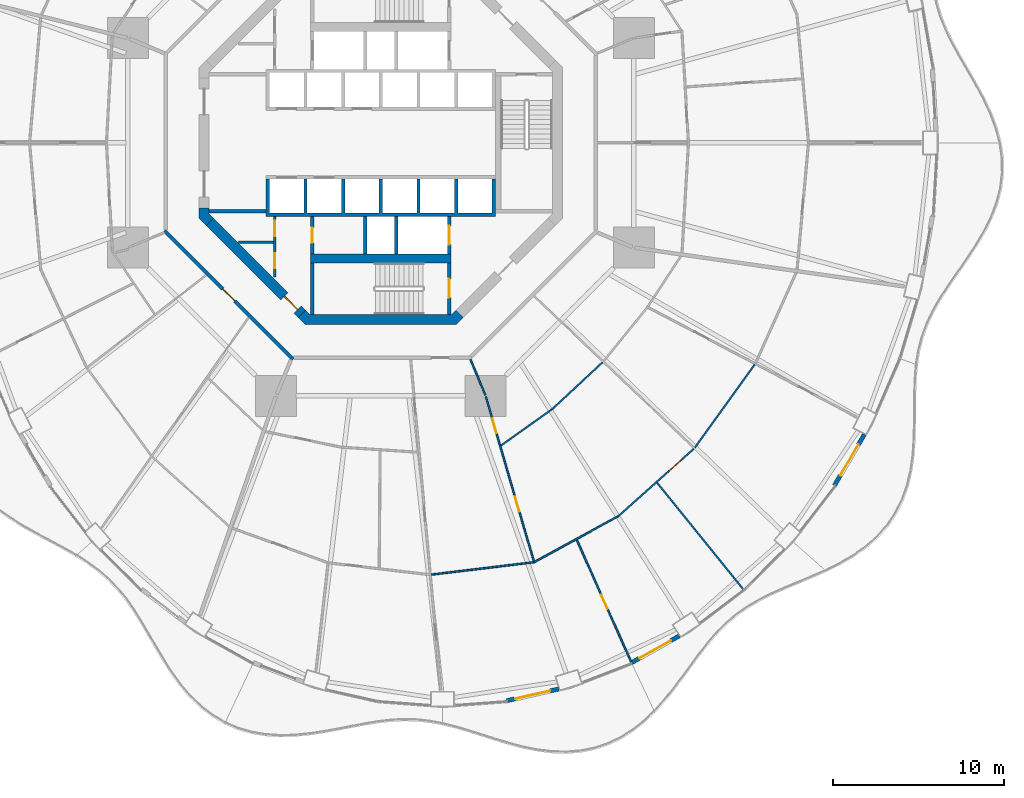
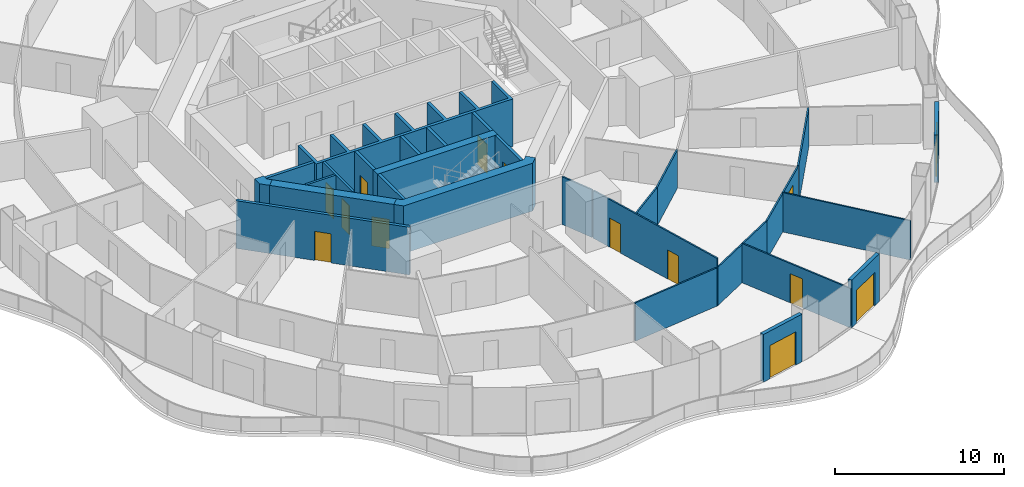
# One storey, part 15 of 22: 28 walls, 14 doors, 14 openings.
"""IFC4 building model written with IfcOpenShell, lengths in metres."""

from ifc_helpers import new_model, si_unit, direction, frame, frame_2d, origin, place, context, subcontext, project, spatial, polyline, rectangle, outline, extrude, material, layer, layer_set, type_object, element, fill, save


model = new_model("IFC4")

# Units and contexts
model_context = context("Model", 3, precision=1e-05, world=origin(), true_north=direction((0.0, 1.0)))
body_context = subcontext(model_context, "Body", "Model", "MODEL_VIEW")
ifc_project = project(units=[si_unit("LENGTHUNIT", "METRE"), si_unit("AREAUNIT", "SQUARE_METRE"), si_unit("VOLUMEUNIT", "CUBIC_METRE"), si_unit("PLANEANGLEUNIT", "RADIAN"), si_unit("MASSUNIT", "GRAM", prefix="KILO")], contexts=[model_context])

# Site, building, storey
site_placement = place(None, origin())
site = spatial("IfcSite", under=ifc_project, at=site_placement, CompositionType="ELEMENT")
building_placement = place(site_placement, origin())
building = spatial("IfcBuilding", under=site, at=building_placement, Name="Nagisa Residences", CompositionType="ELEMENT")
storey_placement = place(building_placement, frame((0.0, 0.0, 34.39990234375)))
storey = spatial("IfcBuildingStorey", under=building, at=storey_placement, Name="L07", CompositionType="ELEMENT", Elevation=34.39990234375)

# Wall, opening, door
ifc_material_1 = material(Name="Gypsum board on steel studs", Category="steel")
ifc_layer_1 = layer(ifc_material_1, 0.199951171875)
ifc_layer_set_1 = layer_set([ifc_layer_1], Name="Apartment entry wall EI60 200")
wall_type_1 = type_object("IfcWallType", Name="Apartment entry wall EI60 200", PredefinedType="PARTITIONING", material=ifc_layer_set_1)
wall_1_placement = place(storey_placement, frame((-12.635498046875, -5.1337890625, 0.0), z_axis=(0.0, 0.0, 1.0), x_axis=(0.707106781187, -0.707106781187, 0.0)))
wall_1 = element("IfcWall", 1, at=wall_1_placement, inside=storey, type_object=wall_type_1, Name="wall:L07:u13", PredefinedType="PARTITIONING", context=body_context, shape_type="SweptSolid", body=[
    extrude(rectangle(XDim=10.609130859375, YDim=0.199951171875, at=frame_2d((5.3046875, 0.0))), origin(), (0.0, 0.0, 1.0), 3.440185546875),
])
opening_1_placement = place(wall_1_placement, frame((4.804443359375, 0.0, 0.0)))
opening_1 = element("IfcOpeningElement", 2, at=opening_1_placement, cuts=wall_1, Name="Opening L07-U28", PredefinedType="OPENING", context=body_context, shape_type="SweptSolid", body=[
    extrude(rectangle(XDim=1.0, YDim=2.10009765625, at=frame_2d((0.5, 1.050048828125))), frame((0.0, 0.10986328125, 0.0), z_axis=(0.0, -1.0, 0.0), x_axis=(1.0, 0.0, 0.0)), (0.0, 0.0, 1.0), 0.219970703125),
])
ifc_material_2 = material(Name="Timber fire door set", Category="wood")
door_type_1 = type_object("IfcDoorType", Name="Apartment entry door FD30S 1000x2100", OperationType="NOTDEFINED", PredefinedType="DOOR", material=ifc_material_2)
door_1_placement = place(opening_1_placement, frame((1.0, 0.0, 0.0), x_axis=(-1.0, 0.0, 0.0)))
door_1 = element("IfcDoor", 3, at=door_1_placement, inside=storey, type_object=door_type_1, Name="Entry door, Apartment 07C", OperationType="SINGLE_SWING_LEFT", OverallHeight=2.10009765625, OverallWidth=1.0, PredefinedType="DOOR", context=body_context, shape_type="SweptSolid", body=[
    extrude(rectangle(XDim=1.0, YDim=2.10009765625, at=frame_2d((0.5, 1.050048828125))), frame((0.0, 0.02490234375, 0.0), z_axis=(0.0, -1.0, 0.0), x_axis=(1.0, 0.0, 0.0)), (0.0, 0.0, 1.0), 0.050048828125),
])
fill(opening_1, door_1)

# Walls
ifc_material_3 = material(Name="Gypsum board on steel studs", Category="steel")
ifc_layer_2 = layer(ifc_material_3, 0.10009765625)
ifc_layer_set_2 = layer_set([ifc_layer_2], Name="Apartment partition 100")
wall_type_2 = type_object("IfcWallType", Name="Apartment partition 100", PredefinedType="PARTITIONING", material=ifc_layer_set_2)
wall_2_placement = place(storey_placement, frame((2.94091796875, -25.228515625, 0.0), z_axis=(0.0, 0.0, 1.0), x_axis=(0.992836798252, 0.119478416615, 0.0)))
element("IfcWall", 4, at=wall_2_placement, inside=storey, type_object=wall_type_2, Name="wall:L07:u77", PredefinedType="PARTITIONING", context=body_context, shape_type="SweptSolid", body=[
    extrude(rectangle(XDim=6.009521484375, YDim=0.10009765625, at=frame_2d((3.0048828125, 0.0))), origin(), (0.0, 0.0, 1.0), 2.756103515625),
])
wall_3_placement = place(storey_placement, frame((5.24267578125, -12.6572265625, 0.0), z_axis=(0.0, 0.0, 1.0), x_axis=(0.382719158442, -0.923864733477, 0.0)))
element("IfcWall", 5, at=wall_3_placement, inside=storey, type_object=wall_type_2, Name="wall:L07:u78", PredefinedType="PARTITIONING", context=body_context, shape_type="SweptSolid", body=[
    extrude(rectangle(XDim=2.25, YDim=0.10009765625, at=frame_2d((1.125, 0.0))), origin(), (0.0, 0.0, 1.0), 3.440185546875),
])

# Wall, openings, doors
wall_4_placement = place(storey_placement, frame((6.136962890625, -14.830078125, 0.0), z_axis=(0.0, 0.0, 1.0), x_axis=(0.279843546189, -0.960045618529, 0.0)))
wall_4 = element("IfcWall", 6, at=wall_4_placement, inside=storey, type_object=wall_type_2, Name="wall:L07:u79", PredefinedType="PARTITIONING", context=body_context, shape_type="SweptSolid", body=[
    extrude(rectangle(XDim=10.126953125, YDim=0.10009765625, at=frame_2d((5.0634765625, 0.0))), origin(), (0.0, 0.0, 1.0), 3.440185546875),
])
opening_2_placement = place(wall_4_placement, frame((1.333740234375, 0.0, 0.0)))
opening_2 = element("IfcOpeningElement", 7, at=opening_2_placement, cuts=wall_4, Name="Opening L07-U42", PredefinedType="OPENING", context=body_context, shape_type="SweptSolid", body=[
    extrude(rectangle(XDim=0.89990234375, YDim=2.10009765625, at=frame_2d((0.449951171875, 1.050048828125))), frame((0.0, 0.06005859375, 0.0), z_axis=(0.0, -1.0, 0.0), x_axis=(1.0, 0.0, 0.0)), (0.0, 0.0, 1.0), 0.1201171875),
])
opening_3_placement = place(wall_4_placement, frame((6.09130859375, 0.0, 0.0)))
opening_3 = element("IfcOpeningElement", 8, at=opening_3_placement, cuts=wall_4, Name="Opening L07-U46", PredefinedType="OPENING", context=body_context, shape_type="SweptSolid", body=[
    extrude(rectangle(XDim=0.89990234375, YDim=2.10009765625, at=frame_2d((0.449951171875, 1.050048828125))), frame((0.0, 0.06005859375, 0.0), z_axis=(0.0, -1.0, 0.0), x_axis=(1.0, 0.0, 0.0)), (0.0, 0.0, 1.0), 0.1201171875),
])
ifc_material_4 = material(Name="Timber door set", Category="wood")
door_type_2 = type_object("IfcDoorType", Name="Apartment door 900x2100", OperationType="NOTDEFINED", PredefinedType="DOOR", material=ifc_material_4)
door_2_placement = place(opening_2_placement, origin())
door_2 = element("IfcDoor", 9, at=door_2_placement, inside=storey, type_object=door_type_2, Name="Door to store, Apartment 07D", OperationType="SINGLE_SWING_RIGHT", OverallHeight=2.10009765625, OverallWidth=0.89990234375, PredefinedType="DOOR", context=body_context, shape_type="SweptSolid", body=[
    extrude(rectangle(XDim=0.89990234375, YDim=2.10009765625, at=frame_2d((0.449951171875, 1.050048828125))), frame((0.0, 0.02490234375, 0.0), z_axis=(0.0, -1.0, 0.0), x_axis=(1.0, 0.0, 0.0)), (0.0, 0.0, 1.0), 0.050048828125),
])
fill(opening_2, door_2)
door_3_placement = place(opening_3_placement, origin())
door_3 = element("IfcDoor", 10, at=door_3_placement, inside=storey, type_object=door_type_2, Name="Door to dining room, Apartment 07D", OperationType="SINGLE_SWING_RIGHT", OverallHeight=2.10009765625, OverallWidth=0.89990234375, PredefinedType="DOOR", context=body_context, shape_type="SweptSolid", body=[
    extrude(rectangle(XDim=0.89990234375, YDim=2.10009765625, at=frame_2d((0.449951171875, 1.050048828125))), frame((0.0, 0.02490234375, 0.0), z_axis=(0.0, -1.0, 0.0), x_axis=(1.0, 0.0, 0.0)), (0.0, 0.0, 1.0), 0.050048828125),
])
fill(opening_3, door_3)

# Walls
wall_5_placement = place(storey_placement, frame((7.018798828125, -17.686279296875, 0.0), z_axis=(0.0, 0.0, 1.0), x_axis=(0.81494477814, 0.57953861699, 0.0)))
element("IfcWall", 11, at=wall_5_placement, inside=storey, type_object=wall_type_2, Name="wall:L07:u80", PredefinedType="PARTITIONING", context=body_context, shape_type="SweptSolid", body=[
    extrude(rectangle(XDim=3.644287109375, YDim=0.10009765625, at=frame_2d((1.822265625, 0.0))), origin(), (0.0, 0.0, 1.0), 2.756103515625),
])
wall_6_placement = place(storey_placement, frame((9.0009765625, -24.48046875, 0.0), z_axis=(0.0, 0.0, 1.0), x_axis=(0.876794415294, 0.480865421203, 0.0)))
element("IfcWall", 12, at=wall_6_placement, inside=storey, type_object=wall_type_2, Name="wall:L07:u81", PredefinedType="PARTITIONING", context=body_context, shape_type="SweptSolid", body=[
    extrude(rectangle(XDim=5.5361328125, YDim=0.10009765625, at=frame_2d((2.76806640625, 0.0))), origin(), (0.0, 0.0, 1.0), 2.756103515625),
])

# Wall, opening, door
wall_7_placement = place(storey_placement, frame((11.4482421875, -23.195068359375, 0.0), z_axis=(0.0, 0.0, 1.0), x_axis=(0.407016520798, -0.913420796675, 0.0)))
wall_7 = element("IfcWall", 13, at=wall_7_placement, inside=storey, type_object=wall_type_2, Name="wall:L07:u82", PredefinedType="PARTITIONING", context=body_context, shape_type="SweptSolid", body=[
    extrude(rectangle(XDim=7.944091796875, YDim=0.10009765625, at=frame_2d((3.97216796875, 0.0))), origin(), (0.0, 0.0, 1.0), 2.837158203125),
])
opening_4_placement = place(wall_7_placement, frame((3.522216796875, 0.0, 0.0)))
opening_4 = element("IfcOpeningElement", 14, at=opening_4_placement, cuts=wall_7, Name="Opening L07-U52", PredefinedType="OPENING", context=body_context, shape_type="SweptSolid", body=[
    extrude(rectangle(XDim=0.89990234375, YDim=2.10009765625, at=frame_2d((0.449951171875, 1.050048828125))), frame((0.0, 0.06005859375, 0.0), z_axis=(0.0, -1.0, 0.0), x_axis=(1.0, 0.0, 0.0)), (0.0, 0.0, 1.0), 0.1201171875),
])
door_4_placement = place(opening_4_placement, origin())
door_4 = element("IfcDoor", 15, at=door_4_placement, inside=storey, type_object=door_type_2, Name="Door to family room, Apartment 07D", OperationType="SINGLE_SWING_RIGHT", OverallHeight=2.10009765625, OverallWidth=0.89990234375, PredefinedType="DOOR", context=body_context, shape_type="SweptSolid", body=[
    extrude(rectangle(XDim=0.89990234375, YDim=2.10009765625, at=frame_2d((0.449951171875, 1.050048828125))), frame((0.0, 0.02490234375, 0.0), z_axis=(0.0, -1.0, 0.0), x_axis=(1.0, 0.0, 0.0)), (0.0, 0.0, 1.0), 0.050048828125),
])
fill(opening_4, door_4)

# Wall
wall_8_placement = place(storey_placement, frame((9.992919921875, -15.579345703125, 0.0), z_axis=(0.0, 0.0, 1.0), x_axis=(0.732028724098, 0.681273768096, 0.0)))
element("IfcWall", 16, at=wall_8_placement, inside=storey, type_object=wall_type_2, Name="wall:L07:u83", PredefinedType="PARTITIONING", context=body_context, shape_type="SweptSolid", body=[
    extrude(rectangle(XDim=4.05029296875, YDim=0.10009765625, at=frame_2d((2.025146484375, 0.0))), origin(), (0.0, 0.0, 1.0), 2.756103515625),
])

# Wall, opening, door
wall_9_placement = place(storey_placement, frame((13.861572265625, -21.82763671875, 0.0), z_axis=(0.0, 0.0, 1.0), x_axis=(0.745812746724, 0.666155647596, 0.0)))
wall_9 = element("IfcWall", 17, at=wall_9_placement, inside=storey, type_object=wall_type_2, Name="wall:L07:u84", PredefinedType="PARTITIONING", context=body_context, shape_type="SweptSolid", body=[
    extrude(rectangle(XDim=5.9306640625, YDim=0.10009765625, at=frame_2d((2.96533203125, 0.0))), origin(), (0.0, 0.0, 1.0), 2.756103515625),
])
opening_5_placement = place(wall_9_placement, frame((4.02294921875, 0.0, 0.0)))
opening_5 = element("IfcOpeningElement", 18, at=opening_5_placement, cuts=wall_9, Name="Opening L07-U53", PredefinedType="OPENING", context=body_context, shape_type="SweptSolid", body=[
    extrude(rectangle(XDim=0.89990234375, YDim=2.10009765625, at=frame_2d((0.449951171875, 1.050048828125))), frame((0.0, 0.06005859375, 0.0), z_axis=(0.0, -1.0, 0.0), x_axis=(1.0, 0.0, 0.0)), (0.0, 0.0, 1.0), 0.1201171875),
])
door_5_placement = place(opening_5_placement, frame((0.89990234375, 0.0, 0.0), x_axis=(-1.0, 0.0, 0.0)))
door_5 = element("IfcDoor", 19, at=door_5_placement, inside=storey, type_object=door_type_2, Name="Door to living room, Apartment 07D", OperationType="SINGLE_SWING_RIGHT", OverallHeight=2.10009765625, OverallWidth=0.89990234375, PredefinedType="DOOR", context=body_context, shape_type="SweptSolid", body=[
    extrude(rectangle(XDim=0.89990234375, YDim=2.10009765625, at=frame_2d((0.449951171875, 1.050048828125))), frame((0.0, 0.02490234375, 0.0), z_axis=(0.0, -1.0, 0.0), x_axis=(1.0, 0.0, 0.0)), (0.0, 0.0, 1.0), 0.050048828125),
])
fill(opening_5, door_5)

# Walls
wall_10_placement = place(storey_placement, frame((16.141845703125, -19.85791015625, 0.0), z_axis=(0.0, 0.0, 1.0), x_axis=(0.628738066508, -0.777617157555, 0.0)))
element("IfcWall", 20, at=wall_10_placement, inside=storey, type_object=wall_type_2, Name="wall:L07:u85", PredefinedType="PARTITIONING", context=body_context, shape_type="SweptSolid", body=[
    extrude(rectangle(XDim=8.091064453125, YDim=0.10009765625, at=frame_2d((4.04541015625, 0.0))), origin(), (0.0, 0.0, 1.0), 2.837158203125),
])
wall_11_placement = place(storey_placement, frame((18.35107421875, -17.802978515625, 0.0), z_axis=(0.0, 0.0, 1.0), x_axis=(0.584563700282, 0.811347817099, 0.0)))
element("IfcWall", 21, at=wall_11_placement, inside=storey, type_object=wall_type_2, Name="wall:L07:u88", PredefinedType="PARTITIONING", context=body_context, shape_type="SweptSolid", body=[
    extrude(rectangle(XDim=5.984375, YDim=0.10009765625, at=frame_2d((2.9921875, 0.0))), origin(), (0.0, 0.0, 1.0), 2.756103515625),
])

# Wall, opening, door
ifc_material_5 = material(Name="Precast concrete C40/50", Category="concrete")
ifc_layer_3 = layer(ifc_material_5, 0.25)
ifc_layer_set_3 = layer_set([ifc_layer_3], Name="BALCONY DOOR WALL 250")
wall_type_3 = type_object("IfcWallType", Name="BALCONY DOOR WALL 250", PredefinedType="SOLIDWALL", material=ifc_layer_set_3)
wall_12_placement = place(storey_placement, frame((10.3955078125, -31.908203125, 0.0), z_axis=(0.0, 0.0, 1.0), x_axis=(-0.97533495413, -0.220729987208, 0.0)))
wall_12 = element("IfcWall", 22, at=wall_12_placement, inside=storey, type_object=wall_type_3, Name="wall:L07:bay37", PredefinedType="SOLIDWALL", context=body_context, shape_type="SweptSolid", body=[
    extrude(rectangle(XDim=3.11474609375, YDim=0.25, at=frame_2d((1.557373046875, 0.0))), origin(), (0.0, 0.0, 1.0), 3.440185546875),
])
opening_6_placement = place(wall_12_placement, frame((0.50732421875, 0.0, 0.0)))
opening_6 = element("IfcOpeningElement", 23, at=opening_6_placement, cuts=wall_12, Name="Opening BD-L07-13", PredefinedType="OPENING", context=body_context, shape_type="SweptSolid", body=[
    extrude(rectangle(XDim=2.10009765625, YDim=2.39990234375, at=frame_2d((1.050048828125, 1.199951171875))), frame((0.0, 0.135009765625, 0.0), z_axis=(0.0, -1.0, 0.0), x_axis=(1.0, 0.0, 0.0)), (0.0, 0.0, 1.0), 0.27001953125),
])
ifc_material_6 = material(Name="Aluminium and clear glass", Category="aluminium")
door_type_3 = type_object("IfcDoorType", Name="BALCONY SLIDING DOOR 2100x2400", OperationType="SLIDING_TO_LEFT", PredefinedType="DOOR", material=ifc_material_6)
door_6_placement = place(opening_6_placement, origin())
door_6 = element("IfcDoor", 24, at=door_6_placement, inside=storey, type_object=door_type_3, Name="door:L07:bay37", OperationType="SLIDING_TO_LEFT", OverallHeight=2.39990234375, OverallWidth=2.10009765625, PredefinedType="DOOR", context=body_context, shape_type="SweptSolid", body=[
    extrude(rectangle(XDim=2.10009765625, YDim=2.39990234375, at=frame_2d((1.050048828125, 1.199951171875))), frame((0.0, 0.02490234375, 0.0), z_axis=(0.0, -1.0, 0.0), x_axis=(1.0, 0.0, 0.0)), (0.0, 0.0, 1.0), 0.050048828125),
])
fill(opening_6, door_6)

wall_13_placement = place(storey_placement, frame((17.428466796875, -28.8125, 0.0), z_axis=(0.0, 0.0, 1.0), x_axis=(-0.872102558443, -0.489323132048, 0.0)))
wall_13 = element("IfcWall", 25, at=wall_13_placement, inside=storey, type_object=wall_type_3, Name="wall:L07:bay39", PredefinedType="SOLIDWALL", context=body_context, shape_type="SweptSolid", body=[
    extrude(rectangle(XDim=3.201171875, YDim=0.25, at=frame_2d((1.6005859375, 0.0))), origin(), (0.0, 0.0, 1.0), 3.440185546875),
])
opening_7_placement = place(wall_13_placement, frame((0.550537109375, 0.0, 0.0)))
opening_7 = element("IfcOpeningElement", 26, at=opening_7_placement, cuts=wall_13, Name="Opening BD-L07-14", PredefinedType="OPENING", context=body_context, shape_type="SweptSolid", body=[
    extrude(rectangle(XDim=2.10009765625, YDim=2.39990234375, at=frame_2d((1.050048828125, 1.199951171875))), frame((0.0, 0.135009765625, 0.0), z_axis=(0.0, -1.0, 0.0), x_axis=(1.0, 0.0, 0.0)), (0.0, 0.0, 1.0), 0.27001953125),
])
door_7_placement = place(opening_7_placement, origin())
door_7 = element("IfcDoor", 27, at=door_7_placement, inside=storey, type_object=door_type_3, Name="door:L07:bay39", OperationType="SLIDING_TO_LEFT", OverallHeight=2.39990234375, OverallWidth=2.10009765625, PredefinedType="DOOR", context=body_context, shape_type="SweptSolid", body=[
    extrude(rectangle(XDim=2.10009765625, YDim=2.39990234375, at=frame_2d((1.050048828125, 1.199951171875))), frame((0.0, 0.02490234375, 0.0), z_axis=(0.0, -1.0, 0.0), x_axis=(1.0, 0.0, 0.0)), (0.0, 0.0, 1.0), 0.050048828125),
])
fill(opening_7, door_7)

wall_14_placement = place(storey_placement, frame((28.25244140625, -17.040283203125, 0.0), z_axis=(0.0, 0.0, 1.0), x_axis=(-0.506311160839, -0.862350861546, 0.0)))
wall_14 = element("IfcWall", 28, at=wall_14_placement, inside=storey, type_object=wall_type_3, Name="wall:L07:bay43", PredefinedType="SOLIDWALL", context=body_context, shape_type="SweptSolid", body=[
    extrude(rectangle(XDim=3.462158203125, YDim=0.25, at=frame_2d((1.73095703125, 0.0))), origin(), (0.0, 0.0, 1.0), 3.440185546875),
])
opening_8_placement = place(wall_14_placement, frame((0.68115234375, 0.0, 0.0)))
opening_8 = element("IfcOpeningElement", 29, at=opening_8_placement, cuts=wall_14, Name="Opening BD-L07-15", PredefinedType="OPENING", context=body_context, shape_type="SweptSolid", body=[
    extrude(rectangle(XDim=2.10009765625, YDim=2.39990234375, at=frame_2d((1.050048828125, 1.199951171875))), frame((0.0, 0.135009765625, 0.0), z_axis=(0.0, -1.0, 0.0), x_axis=(1.0, 0.0, 0.0)), (0.0, 0.0, 1.0), 0.27001953125),
])
door_8_placement = place(opening_8_placement, origin())
door_8 = element("IfcDoor", 30, at=door_8_placement, inside=storey, type_object=door_type_3, Name="door:L07:bay43", OperationType="SLIDING_TO_LEFT", OverallHeight=2.39990234375, OverallWidth=2.10009765625, PredefinedType="DOOR", context=body_context, shape_type="SweptSolid", body=[
    extrude(rectangle(XDim=2.10009765625, YDim=2.39990234375, at=frame_2d((1.050048828125, 1.199951171875))), frame((0.0, 0.02490234375, 0.0), z_axis=(0.0, -1.0, 0.0), x_axis=(1.0, 0.0, 0.0)), (0.0, 0.0, 1.0), 0.050048828125),
])
fill(opening_8, door_8)

# Wall, openings, doors
ifc_material_7 = material(Name="Gypsum board on steel studs", Category="steel")
ifc_layer_4 = layer(ifc_material_7, 0.14990234375)
ifc_layer_set_4 = layer_set([ifc_layer_4], Name="Core partition 150")
wall_type_4 = type_object("IfcWallType", Name="Core partition 150", PredefinedType="PARTITIONING", material=ifc_layer_set_4)
wall_15_placement = place(storey_placement, frame((-6.199951171875, -7.826904296875, 0.0), z_axis=(0.0, 0.0, 1.0), x_axis=(0.0, 1.0, 0.0)))
wall_15 = element("IfcWall", 31, at=wall_15_placement, inside=storey, type_object=wall_type_4, Name="wall:L07:SWp", PredefinedType="PARTITIONING", context=body_context, shape_type="SweptSolid", body=[
    extrude(rectangle(XDim=3.52685546875, YDim=0.14990234375, at=frame_2d((1.763427734375, 0.0))), origin(), (0.0, 0.0, 1.0), 3.440185546875),
])
opening_9_placement = place(wall_15_placement, frame((2.364501953125, 0.0, 0.0)))
opening_9 = element("IfcOpeningElement", 32, at=opening_9_placement, cuts=wall_15, Name="Opening L07-C14", PredefinedType="OPENING", context=body_context, shape_type="SweptSolid", body=[
    extrude(rectangle(XDim=0.89990234375, YDim=2.10009765625, at=frame_2d((0.449951171875, 1.050048828125))), frame((0.0, 0.0849609375, 0.0), z_axis=(0.0, -1.0, 0.0), x_axis=(1.0, 0.0, 0.0)), (0.0, 0.0, 1.0), 0.169921875),
])
opening_10_placement = place(wall_15_placement, frame((0.488525390625, 0.0, 0.0)))
opening_10 = element("IfcOpeningElement", 33, at=opening_10_placement, cuts=wall_15, Name="Opening L07-C15", PredefinedType="OPENING", context=body_context, shape_type="SweptSolid", body=[
    extrude(rectangle(XDim=0.89990234375, YDim=2.10009765625, at=frame_2d((0.449951171875, 1.050048828125))), frame((0.0, 0.0849609375, 0.0), z_axis=(0.0, -1.0, 0.0), x_axis=(1.0, 0.0, 0.0)), (0.0, 0.0, 1.0), 0.169921875),
])
ifc_material_8 = material(Name="Steel fire door", Category="steel")
door_type_4 = type_object("IfcDoorType", Name="Fire door EI30 900x2100 single swing", OperationType="NOTDEFINED", PredefinedType="DOOR", material=ifc_material_8)
door_9_placement = place(opening_9_placement, origin())
door_9 = element("IfcDoor", 34, at=door_9_placement, inside=storey, type_object=door_type_4, Name="Valet store door L07", OperationType="SINGLE_SWING_RIGHT", OverallHeight=2.10009765625, OverallWidth=0.89990234375, PredefinedType="DOOR", context=body_context, shape_type="SweptSolid", body=[
    extrude(rectangle(XDim=0.89990234375, YDim=2.10009765625, at=frame_2d((0.449951171875, 1.050048828125))), frame((0.0, 0.02490234375, 0.0), z_axis=(0.0, -1.0, 0.0), x_axis=(1.0, 0.0, 0.0)), (0.0, 0.0, 1.0), 0.050048828125),
])
fill(opening_9, door_9)
door_10_placement = place(opening_10_placement, origin())
door_10 = element("IfcDoor", 35, at=door_10_placement, inside=storey, type_object=door_type_4, Name="Staff WC door L07", OperationType="SINGLE_SWING_RIGHT", OverallHeight=2.10009765625, OverallWidth=0.89990234375, PredefinedType="DOOR", context=body_context, shape_type="SweptSolid", body=[
    extrude(rectangle(XDim=0.89990234375, YDim=2.10009765625, at=frame_2d((0.449951171875, 1.050048828125))), frame((0.0, 0.02490234375, 0.0), z_axis=(0.0, -1.0, 0.0), x_axis=(1.0, 0.0, 0.0)), (0.0, 0.0, 1.0), 0.050048828125),
])
fill(opening_10, door_10)

# Walls
wall_16_placement = place(storey_placement, frame((-8.301025390625, -5.800048828125, 0.0), z_axis=(0.0, 0.0, 1.0), x_axis=(1.0, 0.0, 0.0)))
element("IfcWall", 36, at=wall_16_placement, inside=storey, type_object=wall_type_4, Name="wall:L07:SWq", PredefinedType="PARTITIONING", context=body_context, shape_type="SweptSolid", body=[
    extrude(rectangle(XDim=2.026123046875, YDim=0.14990234375, at=frame_2d((1.01318359375, 0.0))), origin(), (0.0, 0.0, 1.0), 3.440185546875),
])
ifc_material_9 = material(Name="Gypsum board on steel studs", Category="steel")
ifc_layer_5 = layer(ifc_material_9, 0.199951171875)
ifc_layer_set_5 = layer_set([ifc_layer_5], Name="Core partition 200")
wall_type_5 = type_object("IfcWallType", Name="Core partition 200", PredefinedType="PARTITIONING", material=ifc_layer_set_5)
wall_17_placement = place(storey_placement, frame((-10.024658203125, -4.0, 0.0), z_axis=(0.0, 0.0, 1.0), x_axis=(1.0, 0.0, 0.0)))
element("IfcWall", 37, at=wall_17_placement, inside=storey, type_object=wall_type_5, Name="wall:L07:PSW", PredefinedType="PARTITIONING", context=body_context, shape_type="SweptSolid", body=[
    extrude(rectangle(XDim=3.32470703125, YDim=0.199951171875, at=frame_2d((1.662353515625, 0.0))), origin(), (0.0, 0.0, 1.0), 3.440185546875),
])

# Wall, opening, door
ifc_material_10 = material(Name="Concrete C60", Category="concrete")
ifc_layer_6 = layer(ifc_material_10, 0.60009765625)
ifc_layer_set_6 = layer_set([ifc_layer_6], Name="Core shear wall 600")
wall_type_6 = type_object("IfcWallType", Name="Core shear wall 600", PredefinedType="SHEAR", material=ifc_layer_set_6)
wall_18_placement = place(storey_placement, frame((-9.98828125, -4.613037109375, 0.0), z_axis=(0.0, 0.0, 1.0), x_axis=(0.707106781187, -0.707106781187, 0.0)))
wall_18 = element("IfcWall", 38, at=wall_18_placement, inside=storey, type_object=wall_type_6, Name="wall:L07:core:flat5", PredefinedType="SHEAR", context=body_context, shape_type="SweptSolid", body=[
    extrude(rectangle(XDim=7.601806640625, YDim=0.60009765625, at=frame_2d((3.80078125, 0.0))), origin(), (0.0, 0.0, 1.0), 3.440185546875),
])
opening_11_placement = place(wall_18_placement, frame((6.15087890625, 0.0, 0.0)))
opening_11 = element("IfcOpeningElement", 39, at=opening_11_placement, cuts=wall_18, Name="Opening L07-C22", PredefinedType="OPENING", context=body_context, shape_type="SweptSolid", body=[
    extrude(rectangle(XDim=1.10009765625, YDim=2.10009765625, at=frame_2d((0.550048828125, 1.050048828125))), frame((0.0, 0.31005859375, 0.0), z_axis=(0.0, -1.0, 0.0), x_axis=(1.0, 0.0, 0.0)), (0.0, 0.0, 1.0), 0.6201171875),
])
ifc_material_11 = material(Name="Steel fire door", Category="steel")
door_type_5 = type_object("IfcDoorType", Name="Fire door EI60 1100x2100 single swing", OperationType="NOTDEFINED", PredefinedType="DOOR", material=ifc_material_11)
door_11_placement = place(opening_11_placement, origin())
door_11 = element("IfcDoor", 40, at=door_11_placement, inside=storey, type_object=door_type_5, Name="Housekeeping lobby door L07", OperationType="SINGLE_SWING_RIGHT", OverallHeight=2.10009765625, OverallWidth=1.10009765625, PredefinedType="DOOR", context=body_context, shape_type="SweptSolid", body=[
    extrude(rectangle(XDim=1.10009765625, YDim=2.10009765625, at=frame_2d((0.550048828125, 1.050048828125))), frame((0.0, 0.02490234375, 0.0), z_axis=(0.0, -1.0, 0.0), x_axis=(1.0, 0.0, 0.0)), (0.0, 0.0, 1.0), 0.050048828125),
])
fill(opening_11, door_11)

# Walls
wall_19_placement = place(storey_placement, origin())
element("IfcWall", 41, at=wall_19_placement, inside=storey, type_object=wall_type_6, Name="wall:L07:core:pier4", PredefinedType="SHEAR", context=body_context, shape_type="SweptSolid", body=[
    extrude(outline(polyline([(-10.62451171875, -3.80078125), (-10.024658203125, -3.80078125), (-10.024658203125, -4.15234375), (-9.776123046875, -4.40087890625), (-10.200439453125, -4.8251953125), (-10.62451171875, -4.40087890625), (-10.62451171875, -3.80078125)])), origin(), (0.0, 0.0, 1.0), 3.440185546875),
])
wall_20_placement = place(storey_placement, origin())
element("IfcWall", 42, at=wall_20_placement, inside=storey, type_object=wall_type_6, Name="wall:L07:core:flat6", PredefinedType="SHEAR", context=body_context, shape_type="SweptSolid", body=[
    extrude(outline(polyline([(-4.15234375, -10.024658203125), (4.15234375, -10.024658203125), (4.40087890625, -9.776123046875), (4.8251953125, -10.200439453125), (4.40087890625, -10.62451171875), (-4.40087890625, -10.62451171875), (-4.8251953125, -10.200439453125), (-4.40087890625, -9.776123046875), (-4.15234375, -10.024658203125)])), origin(), (0.0, 0.0, 1.0), 3.440185546875),
])

# Wall, opening, door
ifc_material_12 = material(Name="Concrete C60", Category="concrete")
ifc_layer_7 = layer(ifc_material_12, 0.199951171875)
ifc_layer_set_7 = layer_set([ifc_layer_7], Name="Lift shaft wall 200")
wall_type_7 = type_object("IfcWallType", Name="Lift shaft wall 200", PredefinedType="SOLIDWALL", material=ifc_layer_set_7)
wall_21_placement = place(storey_placement, frame((4.0, -6.5, 0.0), z_axis=(0.0, 0.0, 1.0), x_axis=(0.0, 1.0, 0.0)))
wall_21 = element("IfcWall", 43, at=wall_21_placement, inside=storey, type_object=wall_type_7, Name="wall:L07:Sb3", PredefinedType="SOLIDWALL", context=body_context, shape_type="SweptSolid", body=[
    extrude(rectangle(XDim=2.199951171875, YDim=0.199951171875, at=frame_2d((1.10009765625, 0.0))), origin(), (0.0, 0.0, 1.0), 3.440185546875),
])
opening_12_placement = place(wall_21_placement, frame((0.550048828125, 0.0, 0.0)))
opening_12 = element("IfcOpeningElement", 44, at=opening_12_placement, cuts=wall_21, Name="Opening L07-C07", PredefinedType="OPENING", context=body_context, shape_type="SweptSolid", body=[
    extrude(rectangle(XDim=1.10009765625, YDim=2.10009765625, at=frame_2d((0.550048828125, 1.050048828125))), frame((0.0, 0.10986328125, 0.0), z_axis=(0.0, -1.0, 0.0), x_axis=(1.0, 0.0, 0.0)), (0.0, 0.0, 1.0), 0.219970703125),
])
ifc_material_13 = material(Name="Stainless steel", Category="steel")
door_type_6 = type_object("IfcDoorType", Name="Lift landing door 1100x2100", OperationType="DOUBLE_DOOR_SLIDING", PredefinedType="DOOR", material=ifc_material_13)
door_12_placement = place(opening_12_placement, origin())
door_12 = element("IfcDoor", 45, at=door_12_placement, inside=storey, type_object=door_type_6, Name="Landing door FL2 L07", OperationType="DOUBLE_DOOR_SLIDING", OverallHeight=2.10009765625, OverallWidth=1.10009765625, PredefinedType="DOOR", context=body_context, shape_type="SweptSolid", body=[
    extrude(rectangle(XDim=1.10009765625, YDim=2.10009765625, at=frame_2d((0.550048828125, 1.050048828125))), frame((0.0, 0.02490234375, 0.0), z_axis=(0.0, -1.0, 0.0), x_axis=(1.0, 0.0, 0.0)), (0.0, 0.0, 1.0), 0.050048828125),
])
fill(opening_12, door_12)

wall_22_placement = place(storey_placement, frame((-4.0, -6.5, 0.0), z_axis=(0.0, 0.0, 1.0), x_axis=(0.0, 1.0, 0.0)))
wall_22 = element("IfcWall", 46, at=wall_22_placement, inside=storey, type_object=wall_type_7, Name="wall:L07:Sb4", PredefinedType="SOLIDWALL", context=body_context, shape_type="SweptSolid", body=[
    extrude(rectangle(XDim=2.199951171875, YDim=0.199951171875, at=frame_2d((1.10009765625, 0.0))), origin(), (0.0, 0.0, 1.0), 3.440185546875),
])
opening_13_placement = place(wall_22_placement, frame((0.64990234375, 0.0, 0.0)))
opening_13 = element("IfcOpeningElement", 47, at=opening_13_placement, cuts=wall_22, Name="Opening L07-C16", PredefinedType="OPENING", context=body_context, shape_type="SweptSolid", body=[
    extrude(rectangle(XDim=0.89990234375, YDim=2.10009765625, at=frame_2d((0.449951171875, 1.050048828125))), frame((0.0, 0.10986328125, 0.0), z_axis=(0.0, -1.0, 0.0), x_axis=(1.0, 0.0, 0.0)), (0.0, 0.0, 1.0), 0.219970703125),
])
door_13_placement = place(opening_13_placement, frame((0.89990234375, 0.0, 0.0), x_axis=(-1.0, 0.0, 0.0)))
door_13 = element("IfcDoor", 48, at=door_13_placement, inside=storey, type_object=door_type_4, Name="Refuse room door L07", OperationType="SINGLE_SWING_LEFT", OverallHeight=2.10009765625, OverallWidth=0.89990234375, PredefinedType="DOOR", context=body_context, shape_type="SweptSolid", body=[
    extrude(rectangle(XDim=0.89990234375, YDim=2.10009765625, at=frame_2d((0.449951171875, 1.050048828125))), frame((0.0, 0.02490234375, 0.0), z_axis=(0.0, -1.0, 0.0), x_axis=(1.0, 0.0, 0.0)), (0.0, 0.0, 1.0), 0.050048828125),
])
fill(opening_13, door_13)

# Walls
for number, where, z_axis, x_axis, name in (
    (49, (-0.89990234375, -6.5, 0.0), (0.0, 0.0, 1.0), (0.0, 1.0, 0.0), "wall:L07:Sb1"),
    (50, (0.89990234375, -6.5, 0.0), (0.0, 0.0, 1.0), (0.0, 1.0, 0.0), "wall:L07:Sb2"),
):
    element("IfcWall", number, at=place(storey_placement, frame(where, z_axis=z_axis, x_axis=x_axis)), inside=storey, type_object=wall_type_7, Name=name, PredefinedType="SOLIDWALL", context=body_context, shape_type="SweptSolid", body=[
        extrude(rectangle(XDim=2.199951171875, YDim=0.199951171875, at=frame_2d((1.10009765625, 0.0))), origin(), (0.0, 0.0, 1.0), 3.440185546875),
    ])
wall_23_placement = place(storey_placement, origin())
element("IfcWall", 51, at=wall_23_placement, inside=storey, type_object=wall_type_7, Name="wall:L07:Sback", PredefinedType="SOLIDWALL", context=body_context, shape_type="SweptSolid", body=[
    extrude(outline(polyline([(-6.699951171875, -2.10009765625), (-6.5, -2.10009765625), (-6.5, -4.10009765625), (-4.5, -4.10009765625), (-4.5, -2.10009765625), (-4.300048828125, -2.10009765625), (-4.300048828125, -4.10009765625), (-2.300048828125, -4.10009765625), (-2.300048828125, -2.10009765625), (-2.10009765625, -2.10009765625), (-2.10009765625, -4.10009765625), (-0.10009765625, -4.10009765625), (-0.10009765625, -2.10009765625), (0.10009765625, -2.10009765625), (0.10009765625, -4.10009765625), (2.10009765625, -4.10009765625), (2.10009765625, -2.10009765625), (2.300048828125, -2.10009765625), (2.300048828125, -4.10009765625), (4.300048828125, -4.10009765625), (4.300048828125, -2.10009765625), (4.5, -2.10009765625), (4.5, -4.10009765625), (6.5, -4.10009765625), (6.5, -2.10009765625), (6.699951171875, -2.10009765625), (6.699951171875, -4.300048828125), (-6.699951171875, -4.300048828125), (-6.699951171875, -2.10009765625)])), origin(), (0.0, 0.0, 1.0), 3.440185546875),
])

# Wall, opening, door
ifc_material_14 = material(Name="Concrete C60", Category="concrete")
ifc_layer_8 = layer(ifc_material_14, 0.199951171875)
ifc_layer_set_8 = layer_set([ifc_layer_8], Name="Stair enclosure wall 200")
wall_type_8 = type_object("IfcWallType", Name="Stair enclosure wall 200", PredefinedType="SOLIDWALL", material=ifc_layer_set_8)
wall_24_placement = place(storey_placement, frame((4.0, -10.024658203125, 0.0), z_axis=(0.0, 0.0, 1.0), x_axis=(0.0, 1.0, 0.0)))
wall_24 = element("IfcWall", 52, at=wall_24_placement, inside=storey, type_object=wall_type_8, Name="wall:L07:SS_e", PredefinedType="SOLIDWALL", context=body_context, shape_type="SweptSolid", body=[
    extrude(rectangle(XDim=3.0, YDim=0.199951171875, at=frame_2d((1.5, 0.0))), origin(), (0.0, 0.0, 1.0), 3.440185546875),
])
opening_14_placement = place(wall_24_placement, frame((0.974609375, 0.0, 0.0)))
opening_14 = element("IfcOpeningElement", 53, at=opening_14_placement, cuts=wall_24, Name="Opening L07-C11", PredefinedType="OPENING", context=body_context, shape_type="SweptSolid", body=[
    extrude(rectangle(XDim=1.10009765625, YDim=2.10009765625, at=frame_2d((0.550048828125, 1.050048828125))), frame((0.0, 0.10986328125, 0.0), z_axis=(0.0, -1.0, 0.0), x_axis=(1.0, 0.0, 0.0)), (0.0, 0.0, 1.0), 0.219970703125),
])
ifc_material_15 = material(Name="Steel fire door", Category="steel")
door_type_7 = type_object("IfcDoorType", Name="Fire door EI90 1100x2100 single swing", OperationType="NOTDEFINED", PredefinedType="DOOR", material=ifc_material_15)
door_14_placement = place(opening_14_placement, origin())
door_14 = element("IfcDoor", 54, at=door_14_placement, inside=storey, type_object=door_type_7, Name="Stair door ST-S L07", OperationType="SINGLE_SWING_RIGHT", OverallHeight=2.10009765625, OverallWidth=1.10009765625, PredefinedType="DOOR", context=body_context, shape_type="SweptSolid", body=[
    extrude(rectangle(XDim=1.10009765625, YDim=2.10009765625, at=frame_2d((0.550048828125, 1.050048828125))), frame((0.0, 0.02490234375, 0.0), z_axis=(0.0, -1.0, 0.0), x_axis=(1.0, 0.0, 0.0)), (0.0, 0.0, 1.0), 0.050048828125),
])
fill(opening_14, door_14)

# Walls
wall_25_placement = place(storey_placement, origin())
element("IfcWall", 55, at=wall_25_placement, inside=storey, type_object=wall_type_8, Name="wall:L07:SS_w", PredefinedType="SOLIDWALL", context=body_context, shape_type="SweptSolid", body=[
    extrude(outline(polyline([(-3.89990234375, -10.024658203125), (-4.10009765625, -10.024658203125), (-4.10009765625, -7.024658203125), (-3.89990234375, -7.024658203125), (-3.89990234375, -10.024658203125)])), origin(), (0.0, 0.0, 1.0), 3.440185546875),
])
wall_26_placement = place(storey_placement, origin())
element("IfcWall", 56, at=wall_26_placement, inside=storey, type_object=wall_type_8, Name="wall:L07:SS_n", PredefinedType="SOLIDWALL", context=body_context, shape_type="SweptSolid", body=[
    extrude(outline(polyline([(4.10009765625, -7.024658203125), (-4.10009765625, -7.024658203125), (-4.10009765625, -6.5), (4.10009765625, -6.5), (4.10009765625, -7.024658203125)])), origin(), (0.0, 0.0, 1.0), 3.440185546875),
])

save(model, "model.ifc")
